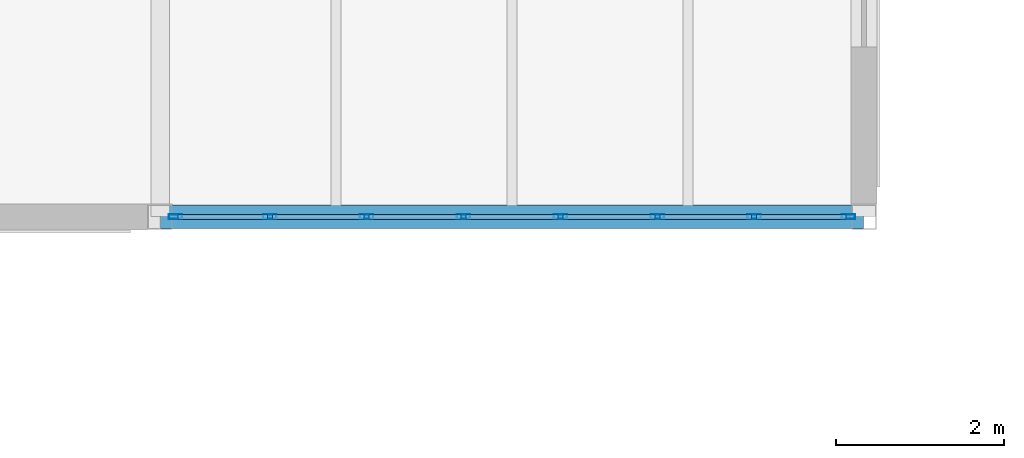
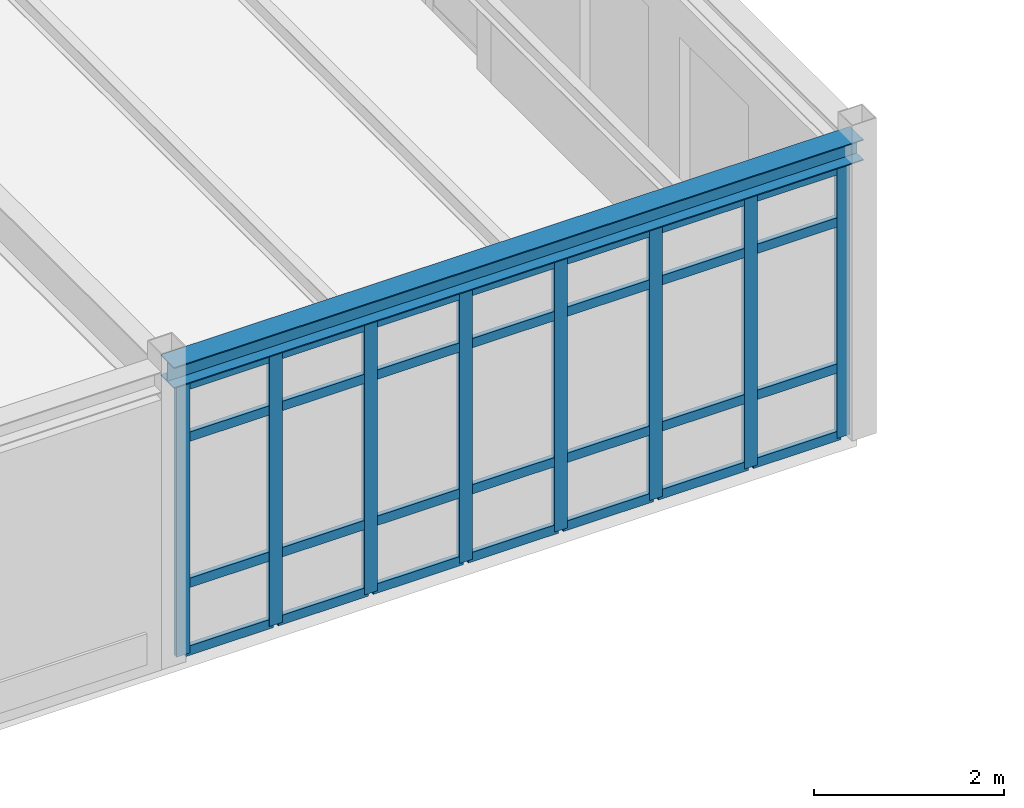
# One storey, part 88 of 165: 36 members, 1 beam, 1 element without a shape of its own.
"""IFC4 building model written with IfcOpenShell, lengths in metres."""

from ifc_helpers import new_model, si_unit, direction, frame, origin, origin_2d, place, context, subcontext, project, spatial, hollow_rectangle, i_section, extrude, material, layer, layer_set, material_profile, profile_set, type_object, element, aggregate, save


model = new_model("IFC4")

# Units and contexts
model_context = context("Model", 3, precision=1e-05, world=origin(), true_north=direction((0.0, 1.0)))
body_context = subcontext(model_context, "Body", "Model", "MODEL_VIEW")
ifc_project = project(units=[si_unit("LENGTHUNIT", "METRE"), si_unit("AREAUNIT", "SQUARE_METRE"), si_unit("VOLUMEUNIT", "CUBIC_METRE"), si_unit("PLANEANGLEUNIT", "RADIAN"), si_unit("MASSUNIT", "GRAM", prefix="KILO")], contexts=[model_context])

# Site, building, storey
site_placement = place(None, origin())
site = spatial("IfcSite", under=ifc_project, at=site_placement, CompositionType="ELEMENT")
building_placement = place(site_placement, origin())
building = spatial("IfcBuilding", under=site, at=building_placement, Name="Montecoro Central Library", CompositionType="ELEMENT")
storey_placement = place(building_placement, frame((0.0, 0.0, 5.10009765625)))
storey = spatial("IfcBuildingStorey", under=building, at=storey_placement, Name="L01", CompositionType="ELEMENT", Elevation=5.10009765625)

# Beam
ifc_material_1 = material(Name="Steel S355", Category="steel")
ifc_material_profile_1 = material_profile(ifc_material_1, i_section(OverallWidth=0.280029296875, OverallDepth=0.27001953125, WebThickness=0.008056640625, FlangeThickness=0.012939453125, at=origin_2d()), Name="HEA 280")
ifc_profile_set_1 = profile_set([ifc_material_profile_1], Name="Steel S355")
beam_type = type_object("IfcBeamType", Name="BM-SP-HEA280", PredefinedType="SPANDREL", material=ifc_profile_set_1)
beam_placement = place(storey_placement, frame((108.405029296875, 81.0, 3.68994140625), z_axis=(1.0, 0.0, 0.0), x_axis=(0.0, 1.0, 0.0)))
element("IfcBeam", 1, at=beam_placement, inside=storey, type_object=beam_type, Name="V2-L01-BX-1415-L", PredefinedType="SPANDREL", context=body_context, shape_type="SweptSolid", body=[
    extrude(i_section(OverallWidth=0.280029296875, OverallDepth=0.27001953125, WebThickness=0.008056640625, FlangeThickness=0.012939453125, at=origin_2d()), origin(), (0.0, 0.0, 1.0), 8.389892578125),
])

# Curtain wall, members
ifc_material_2 = material(Name="Bronze-anodised aluminium and low-E glazing", Category="aluminium")
ifc_layer = layer(ifc_material_2, 0.159912109375)
ifc_layer_set = layer_set([ifc_layer], Name="Bronze-anodised aluminium and low-E glazing")
curtain_wall_type = type_object("IfcCurtainWallType", Name="CWT-010", PredefinedType="NOTDEFINED", material=ifc_layer_set)
curtain_wall_placement = place(storey_placement, origin())
curtain_wall = element("IfcCurtainWall", 2, at=curtain_wall_placement, inside=storey, type_object=curtain_wall_type, Name="V2-L01-CW-S5", PredefinedType="NOTDEFINED")
ifc_material_3 = material(Name="Bronze-anodised aluminium", Category="aluminium")
ifc_material_profile_2 = material_profile(ifc_material_3, hollow_rectangle(XDim=0.06005859375, YDim=0.159912109375, WallThickness=0.00390625, at=origin_2d()), Name="CWM 160x60x4.0")
ifc_profile_set_2 = profile_set([ifc_material_profile_2], Name="Bronze-anodised aluminium")
member_type_1 = type_object("IfcMemberType", Name="CWM-BRZ-60", PredefinedType="MULLION", material=ifc_profile_set_2)
member_1_placement = place(storey_placement, frame((108.5830078125, 81.0, 0.0), z_axis=(0.0, 0.0, 1.0), x_axis=(0.0, 1.0, 0.0)))
member_1 = element("IfcMember", 3, at=member_1_placement, type_object=member_type_1, Name="CW-010 mullion 1", PredefinedType="MULLION", context=body_context, shape_type="SweptSolid", body=[
    extrude(hollow_rectangle(XDim=0.06005859375, YDim=0.159912109375, WallThickness=0.00390625, at=origin_2d()), origin(), (0.0, 0.0, 1.0), 3.47998046875),
])
member_2_placement = place(storey_placement, frame((109.709228515625, 81.0, 0.0), z_axis=(0.0, 0.0, 1.0), x_axis=(0.0, 1.0, 0.0)))
member_2 = element("IfcMember", 4, at=member_2_placement, type_object=member_type_1, Name="CW-010 mullion 2", PredefinedType="MULLION", context=body_context, shape_type="SweptSolid", body=[
    extrude(hollow_rectangle(XDim=0.06005859375, YDim=0.159912109375, WallThickness=0.00390625, at=origin_2d()), origin(), (0.0, 0.0, 1.0), 3.47998046875),
])
member_3_placement = place(storey_placement, frame((110.865478515625, 81.0, 0.0), z_axis=(0.0, 0.0, 1.0), x_axis=(0.0, 1.0, 0.0)))
member_3 = element("IfcMember", 5, at=member_3_placement, type_object=member_type_1, Name="CW-010 mullion 3", PredefinedType="MULLION", context=body_context, shape_type="SweptSolid", body=[
    extrude(hollow_rectangle(XDim=0.06005859375, YDim=0.159912109375, WallThickness=0.00390625, at=origin_2d()), origin(), (0.0, 0.0, 1.0), 3.47998046875),
])
member_4_placement = place(storey_placement, frame((112.02197265625, 81.0, 0.0), z_axis=(0.0, 0.0, 1.0), x_axis=(0.0, 1.0, 0.0)))
member_4 = element("IfcMember", 6, at=member_4_placement, type_object=member_type_1, Name="CW-010 mullion 4", PredefinedType="MULLION", context=body_context, shape_type="SweptSolid", body=[
    extrude(hollow_rectangle(XDim=0.06005859375, YDim=0.159912109375, WallThickness=0.00390625, at=origin_2d()), origin(), (0.0, 0.0, 1.0), 3.47998046875),
])
member_5_placement = place(storey_placement, frame((113.17822265625, 81.0, 0.0), z_axis=(0.0, 0.0, 1.0), x_axis=(0.0, 1.0, 0.0)))
member_5 = element("IfcMember", 7, at=member_5_placement, type_object=member_type_1, Name="CW-010 mullion 5", PredefinedType="MULLION", context=body_context, shape_type="SweptSolid", body=[
    extrude(hollow_rectangle(XDim=0.06005859375, YDim=0.159912109375, WallThickness=0.00390625, at=origin_2d()), origin(), (0.0, 0.0, 1.0), 3.47998046875),
])
member_6_placement = place(storey_placement, frame((114.33447265625, 81.0, 0.0), z_axis=(0.0, 0.0, 1.0), x_axis=(0.0, 1.0, 0.0)))
member_6 = element("IfcMember", 8, at=member_6_placement, type_object=member_type_1, Name="CW-010 mullion 6", PredefinedType="MULLION", context=body_context, shape_type="SweptSolid", body=[
    extrude(hollow_rectangle(XDim=0.06005859375, YDim=0.159912109375, WallThickness=0.00390625, at=origin_2d()), origin(), (0.0, 0.0, 1.0), 3.47998046875),
])
member_7_placement = place(storey_placement, frame((115.49072265625, 81.0, 0.0), z_axis=(0.0, 0.0, 1.0), x_axis=(0.0, 1.0, 0.0)))
member_7 = element("IfcMember", 9, at=member_7_placement, type_object=member_type_1, Name="CW-010 mullion 7", PredefinedType="MULLION", context=body_context, shape_type="SweptSolid", body=[
    extrude(hollow_rectangle(XDim=0.06005859375, YDim=0.159912109375, WallThickness=0.00390625, at=origin_2d()), origin(), (0.0, 0.0, 1.0), 3.47998046875),
])
member_8_placement = place(storey_placement, frame((116.616943359375, 81.0, 0.0), z_axis=(0.0, 0.0, 1.0), x_axis=(0.0, 1.0, 0.0)))
member_8 = element("IfcMember", 10, at=member_8_placement, type_object=member_type_1, Name="CW-010 mullion 8", PredefinedType="MULLION", context=body_context, shape_type="SweptSolid", body=[
    extrude(hollow_rectangle(XDim=0.06005859375, YDim=0.159912109375, WallThickness=0.00390625, at=origin_2d()), origin(), (0.0, 0.0, 1.0), 3.47998046875),
])
ifc_material_profile_3 = material_profile(ifc_material_3, hollow_rectangle(XDim=0.06005859375, YDim=0.1201171875, WallThickness=0.00390625, at=origin_2d()), Name="CWT 120x60x4.0")
ifc_profile_set_3 = profile_set([ifc_material_profile_3], Name="Bronze-anodised aluminium")
member_type_2 = type_object("IfcMemberType", Name="CWT-BRZ-60", PredefinedType="USERDEFINED", material=ifc_profile_set_3)
member_9_placement = place(storey_placement, frame((108.613037109375, 81.0, 0.02978515625), z_axis=(1.0, 0.0, 0.0), x_axis=(0.0, 1.0, 0.0)))
member_9 = element("IfcMember", 11, at=member_9_placement, type_object=member_type_2, Name="CW-010 transom 1.1", ObjectType="TRANSOM", PredefinedType="USERDEFINED", context=body_context, shape_type="SweptSolid", body=[
    extrude(hollow_rectangle(XDim=0.06005859375, YDim=0.1201171875, WallThickness=0.00390625, at=origin_2d()), origin(), (0.0, 0.0, 1.0), 1.066162109375),
])
member_10_placement = place(storey_placement, frame((108.613037109375, 81.0, 0.89990234375), z_axis=(1.0, 0.0, 0.0), x_axis=(0.0, 1.0, 0.0)))
member_10 = element("IfcMember", 12, at=member_10_placement, type_object=member_type_2, Name="CW-010 transom 1.2", ObjectType="TRANSOM", PredefinedType="USERDEFINED", context=body_context, shape_type="SweptSolid", body=[
    extrude(hollow_rectangle(XDim=0.06005859375, YDim=0.1201171875, WallThickness=0.00390625, at=origin_2d()), origin(), (0.0, 0.0, 1.0), 1.066162109375),
])
member_11_placement = place(storey_placement, frame((108.613037109375, 81.0, 2.77978515625), z_axis=(1.0, 0.0, 0.0), x_axis=(0.0, 1.0, 0.0)))
member_11 = element("IfcMember", 13, at=member_11_placement, type_object=member_type_2, Name="CW-010 transom 1.3", ObjectType="TRANSOM", PredefinedType="USERDEFINED", context=body_context, shape_type="SweptSolid", body=[
    extrude(hollow_rectangle(XDim=0.06005859375, YDim=0.1201171875, WallThickness=0.00390625, at=origin_2d()), origin(), (0.0, 0.0, 1.0), 1.066162109375),
])
member_12_placement = place(storey_placement, frame((108.613037109375, 81.0, 3.449951171875), z_axis=(1.0, 0.0, 0.0), x_axis=(0.0, 1.0, 0.0)))
member_12 = element("IfcMember", 14, at=member_12_placement, type_object=member_type_2, Name="CW-010 transom 1.4", ObjectType="TRANSOM", PredefinedType="USERDEFINED", context=body_context, shape_type="SweptSolid", body=[
    extrude(hollow_rectangle(XDim=0.06005859375, YDim=0.1201171875, WallThickness=0.00390625, at=origin_2d()), origin(), (0.0, 0.0, 1.0), 1.066162109375),
])
member_13_placement = place(storey_placement, frame((109.7392578125, 81.0, 0.02978515625), z_axis=(1.0, 0.0, 0.0), x_axis=(0.0, 1.0, 0.0)))
member_13 = element("IfcMember", 15, at=member_13_placement, type_object=member_type_2, Name="CW-010 transom 2.1", ObjectType="TRANSOM", PredefinedType="USERDEFINED", context=body_context, shape_type="SweptSolid", body=[
    extrude(hollow_rectangle(XDim=0.06005859375, YDim=0.1201171875, WallThickness=0.00390625, at=origin_2d()), origin(), (0.0, 0.0, 1.0), 1.096435546875),
])
member_14_placement = place(storey_placement, frame((109.7392578125, 81.0, 0.89990234375), z_axis=(1.0, 0.0, 0.0), x_axis=(0.0, 1.0, 0.0)))
member_14 = element("IfcMember", 16, at=member_14_placement, type_object=member_type_2, Name="CW-010 transom 2.2", ObjectType="TRANSOM", PredefinedType="USERDEFINED", context=body_context, shape_type="SweptSolid", body=[
    extrude(hollow_rectangle(XDim=0.06005859375, YDim=0.1201171875, WallThickness=0.00390625, at=origin_2d()), origin(), (0.0, 0.0, 1.0), 1.096435546875),
])
member_15_placement = place(storey_placement, frame((109.7392578125, 81.0, 2.77978515625), z_axis=(1.0, 0.0, 0.0), x_axis=(0.0, 1.0, 0.0)))
member_15 = element("IfcMember", 17, at=member_15_placement, type_object=member_type_2, Name="CW-010 transom 2.3", ObjectType="TRANSOM", PredefinedType="USERDEFINED", context=body_context, shape_type="SweptSolid", body=[
    extrude(hollow_rectangle(XDim=0.06005859375, YDim=0.1201171875, WallThickness=0.00390625, at=origin_2d()), origin(), (0.0, 0.0, 1.0), 1.096435546875),
])
member_16_placement = place(storey_placement, frame((109.7392578125, 81.0, 3.449951171875), z_axis=(1.0, 0.0, 0.0), x_axis=(0.0, 1.0, 0.0)))
member_16 = element("IfcMember", 18, at=member_16_placement, type_object=member_type_2, Name="CW-010 transom 2.4", ObjectType="TRANSOM", PredefinedType="USERDEFINED", context=body_context, shape_type="SweptSolid", body=[
    extrude(hollow_rectangle(XDim=0.06005859375, YDim=0.1201171875, WallThickness=0.00390625, at=origin_2d()), origin(), (0.0, 0.0, 1.0), 1.096435546875),
])
member_17_placement = place(storey_placement, frame((110.8955078125, 81.0, 0.02978515625), z_axis=(1.0, 0.0, 0.0), x_axis=(0.0, 1.0, 0.0)))
member_17 = element("IfcMember", 19, at=member_17_placement, type_object=member_type_2, Name="CW-010 transom 3.1", ObjectType="TRANSOM", PredefinedType="USERDEFINED", context=body_context, shape_type="SweptSolid", body=[
    extrude(hollow_rectangle(XDim=0.06005859375, YDim=0.1201171875, WallThickness=0.00390625, at=origin_2d()), origin(), (0.0, 0.0, 1.0), 1.096435546875),
])
member_18_placement = place(storey_placement, frame((110.8955078125, 81.0, 0.89990234375), z_axis=(1.0, 0.0, 0.0), x_axis=(0.0, 1.0, 0.0)))
member_18 = element("IfcMember", 20, at=member_18_placement, type_object=member_type_2, Name="CW-010 transom 3.2", ObjectType="TRANSOM", PredefinedType="USERDEFINED", context=body_context, shape_type="SweptSolid", body=[
    extrude(hollow_rectangle(XDim=0.06005859375, YDim=0.1201171875, WallThickness=0.00390625, at=origin_2d()), origin(), (0.0, 0.0, 1.0), 1.096435546875),
])
member_19_placement = place(storey_placement, frame((110.8955078125, 81.0, 2.77978515625), z_axis=(1.0, 0.0, 0.0), x_axis=(0.0, 1.0, 0.0)))
member_19 = element("IfcMember", 21, at=member_19_placement, type_object=member_type_2, Name="CW-010 transom 3.3", ObjectType="TRANSOM", PredefinedType="USERDEFINED", context=body_context, shape_type="SweptSolid", body=[
    extrude(hollow_rectangle(XDim=0.06005859375, YDim=0.1201171875, WallThickness=0.00390625, at=origin_2d()), origin(), (0.0, 0.0, 1.0), 1.096435546875),
])
member_20_placement = place(storey_placement, frame((110.8955078125, 81.0, 3.449951171875), z_axis=(1.0, 0.0, 0.0), x_axis=(0.0, 1.0, 0.0)))
member_20 = element("IfcMember", 22, at=member_20_placement, type_object=member_type_2, Name="CW-010 transom 3.4", ObjectType="TRANSOM", PredefinedType="USERDEFINED", context=body_context, shape_type="SweptSolid", body=[
    extrude(hollow_rectangle(XDim=0.06005859375, YDim=0.1201171875, WallThickness=0.00390625, at=origin_2d()), origin(), (0.0, 0.0, 1.0), 1.096435546875),
])
member_21_placement = place(storey_placement, frame((112.0517578125, 81.0, 0.02978515625), z_axis=(1.0, 0.0, 0.0), x_axis=(0.0, 1.0, 0.0)))
member_21 = element("IfcMember", 23, at=member_21_placement, type_object=member_type_2, Name="CW-010 transom 4.1", ObjectType="TRANSOM", PredefinedType="USERDEFINED", context=body_context, shape_type="SweptSolid", body=[
    extrude(hollow_rectangle(XDim=0.06005859375, YDim=0.1201171875, WallThickness=0.00390625, at=origin_2d()), origin(), (0.0, 0.0, 1.0), 1.096435546875),
])
member_22_placement = place(storey_placement, frame((112.0517578125, 81.0, 0.89990234375), z_axis=(1.0, 0.0, 0.0), x_axis=(0.0, 1.0, 0.0)))
member_22 = element("IfcMember", 24, at=member_22_placement, type_object=member_type_2, Name="CW-010 transom 4.2", ObjectType="TRANSOM", PredefinedType="USERDEFINED", context=body_context, shape_type="SweptSolid", body=[
    extrude(hollow_rectangle(XDim=0.06005859375, YDim=0.1201171875, WallThickness=0.00390625, at=origin_2d()), origin(), (0.0, 0.0, 1.0), 1.096435546875),
])
member_23_placement = place(storey_placement, frame((112.0517578125, 81.0, 2.77978515625), z_axis=(1.0, 0.0, 0.0), x_axis=(0.0, 1.0, 0.0)))
member_23 = element("IfcMember", 25, at=member_23_placement, type_object=member_type_2, Name="CW-010 transom 4.3", ObjectType="TRANSOM", PredefinedType="USERDEFINED", context=body_context, shape_type="SweptSolid", body=[
    extrude(hollow_rectangle(XDim=0.06005859375, YDim=0.1201171875, WallThickness=0.00390625, at=origin_2d()), origin(), (0.0, 0.0, 1.0), 1.096435546875),
])
member_24_placement = place(storey_placement, frame((112.0517578125, 81.0, 3.449951171875), z_axis=(1.0, 0.0, 0.0), x_axis=(0.0, 1.0, 0.0)))
member_24 = element("IfcMember", 26, at=member_24_placement, type_object=member_type_2, Name="CW-010 transom 4.4", ObjectType="TRANSOM", PredefinedType="USERDEFINED", context=body_context, shape_type="SweptSolid", body=[
    extrude(hollow_rectangle(XDim=0.06005859375, YDim=0.1201171875, WallThickness=0.00390625, at=origin_2d()), origin(), (0.0, 0.0, 1.0), 1.096435546875),
])
member_25_placement = place(storey_placement, frame((113.208251953125, 81.0, 0.02978515625), z_axis=(1.0, 0.0, 0.0), x_axis=(0.0, 1.0, 0.0)))
member_25 = element("IfcMember", 27, at=member_25_placement, type_object=member_type_2, Name="CW-010 transom 5.1", ObjectType="TRANSOM", PredefinedType="USERDEFINED", context=body_context, shape_type="SweptSolid", body=[
    extrude(hollow_rectangle(XDim=0.06005859375, YDim=0.1201171875, WallThickness=0.00390625, at=origin_2d()), origin(), (0.0, 0.0, 1.0), 1.09619140625),
])
member_26_placement = place(storey_placement, frame((113.208251953125, 81.0, 0.89990234375), z_axis=(1.0, 0.0, 0.0), x_axis=(0.0, 1.0, 0.0)))
member_26 = element("IfcMember", 28, at=member_26_placement, type_object=member_type_2, Name="CW-010 transom 5.2", ObjectType="TRANSOM", PredefinedType="USERDEFINED", context=body_context, shape_type="SweptSolid", body=[
    extrude(hollow_rectangle(XDim=0.06005859375, YDim=0.1201171875, WallThickness=0.00390625, at=origin_2d()), origin(), (0.0, 0.0, 1.0), 1.09619140625),
])
member_27_placement = place(storey_placement, frame((113.208251953125, 81.0, 2.77978515625), z_axis=(1.0, 0.0, 0.0), x_axis=(0.0, 1.0, 0.0)))
member_27 = element("IfcMember", 29, at=member_27_placement, type_object=member_type_2, Name="CW-010 transom 5.3", ObjectType="TRANSOM", PredefinedType="USERDEFINED", context=body_context, shape_type="SweptSolid", body=[
    extrude(hollow_rectangle(XDim=0.06005859375, YDim=0.1201171875, WallThickness=0.00390625, at=origin_2d()), origin(), (0.0, 0.0, 1.0), 1.09619140625),
])
member_28_placement = place(storey_placement, frame((113.208251953125, 81.0, 3.449951171875), z_axis=(1.0, 0.0, 0.0), x_axis=(0.0, 1.0, 0.0)))
member_28 = element("IfcMember", 30, at=member_28_placement, type_object=member_type_2, Name="CW-010 transom 5.4", ObjectType="TRANSOM", PredefinedType="USERDEFINED", context=body_context, shape_type="SweptSolid", body=[
    extrude(hollow_rectangle(XDim=0.06005859375, YDim=0.1201171875, WallThickness=0.00390625, at=origin_2d()), origin(), (0.0, 0.0, 1.0), 1.09619140625),
])
member_29_placement = place(storey_placement, frame((114.364501953125, 81.0, 0.02978515625), z_axis=(1.0, 0.0, 0.0), x_axis=(0.0, 1.0, 0.0)))
member_29 = element("IfcMember", 31, at=member_29_placement, type_object=member_type_2, Name="CW-010 transom 6.1", ObjectType="TRANSOM", PredefinedType="USERDEFINED", context=body_context, shape_type="SweptSolid", body=[
    extrude(hollow_rectangle(XDim=0.06005859375, YDim=0.1201171875, WallThickness=0.00390625, at=origin_2d()), origin(), (0.0, 0.0, 1.0), 1.09619140625),
])
member_30_placement = place(storey_placement, frame((114.364501953125, 81.0, 0.89990234375), z_axis=(1.0, 0.0, 0.0), x_axis=(0.0, 1.0, 0.0)))
member_30 = element("IfcMember", 32, at=member_30_placement, type_object=member_type_2, Name="CW-010 transom 6.2", ObjectType="TRANSOM", PredefinedType="USERDEFINED", context=body_context, shape_type="SweptSolid", body=[
    extrude(hollow_rectangle(XDim=0.06005859375, YDim=0.1201171875, WallThickness=0.00390625, at=origin_2d()), origin(), (0.0, 0.0, 1.0), 1.09619140625),
])
member_31_placement = place(storey_placement, frame((114.364501953125, 81.0, 2.77978515625), z_axis=(1.0, 0.0, 0.0), x_axis=(0.0, 1.0, 0.0)))
member_31 = element("IfcMember", 33, at=member_31_placement, type_object=member_type_2, Name="CW-010 transom 6.3", ObjectType="TRANSOM", PredefinedType="USERDEFINED", context=body_context, shape_type="SweptSolid", body=[
    extrude(hollow_rectangle(XDim=0.06005859375, YDim=0.1201171875, WallThickness=0.00390625, at=origin_2d()), origin(), (0.0, 0.0, 1.0), 1.09619140625),
])
member_32_placement = place(storey_placement, frame((114.364501953125, 81.0, 3.449951171875), z_axis=(1.0, 0.0, 0.0), x_axis=(0.0, 1.0, 0.0)))
member_32 = element("IfcMember", 34, at=member_32_placement, type_object=member_type_2, Name="CW-010 transom 6.4", ObjectType="TRANSOM", PredefinedType="USERDEFINED", context=body_context, shape_type="SweptSolid", body=[
    extrude(hollow_rectangle(XDim=0.06005859375, YDim=0.1201171875, WallThickness=0.00390625, at=origin_2d()), origin(), (0.0, 0.0, 1.0), 1.09619140625),
])
member_33_placement = place(storey_placement, frame((115.520751953125, 81.0, 0.02978515625), z_axis=(1.0, 0.0, 0.0), x_axis=(0.0, 1.0, 0.0)))
member_33 = element("IfcMember", 35, at=member_33_placement, type_object=member_type_2, Name="CW-010 transom 7.1", ObjectType="TRANSOM", PredefinedType="USERDEFINED", context=body_context, shape_type="SweptSolid", body=[
    extrude(hollow_rectangle(XDim=0.06005859375, YDim=0.1201171875, WallThickness=0.00390625, at=origin_2d()), origin(), (0.0, 0.0, 1.0), 1.066162109375),
])
member_34_placement = place(storey_placement, frame((115.520751953125, 81.0, 0.89990234375), z_axis=(1.0, 0.0, 0.0), x_axis=(0.0, 1.0, 0.0)))
member_34 = element("IfcMember", 36, at=member_34_placement, type_object=member_type_2, Name="CW-010 transom 7.2", ObjectType="TRANSOM", PredefinedType="USERDEFINED", context=body_context, shape_type="SweptSolid", body=[
    extrude(hollow_rectangle(XDim=0.06005859375, YDim=0.1201171875, WallThickness=0.00390625, at=origin_2d()), origin(), (0.0, 0.0, 1.0), 1.066162109375),
])
member_35_placement = place(storey_placement, frame((115.520751953125, 81.0, 2.77978515625), z_axis=(1.0, 0.0, 0.0), x_axis=(0.0, 1.0, 0.0)))
member_35 = element("IfcMember", 37, at=member_35_placement, type_object=member_type_2, Name="CW-010 transom 7.3", ObjectType="TRANSOM", PredefinedType="USERDEFINED", context=body_context, shape_type="SweptSolid", body=[
    extrude(hollow_rectangle(XDim=0.06005859375, YDim=0.1201171875, WallThickness=0.00390625, at=origin_2d()), origin(), (0.0, 0.0, 1.0), 1.066162109375),
])
member_36_placement = place(storey_placement, frame((115.520751953125, 81.0, 3.449951171875), z_axis=(1.0, 0.0, 0.0), x_axis=(0.0, 1.0, 0.0)))
member_36 = element("IfcMember", 38, at=member_36_placement, type_object=member_type_2, Name="CW-010 transom 7.4", ObjectType="TRANSOM", PredefinedType="USERDEFINED", context=body_context, shape_type="SweptSolid", body=[
    extrude(hollow_rectangle(XDim=0.06005859375, YDim=0.1201171875, WallThickness=0.00390625, at=origin_2d()), origin(), (0.0, 0.0, 1.0), 1.066162109375),
])
aggregate(curtain_wall, [member_1, member_2, member_3, member_4, member_5, member_6, member_7, member_8, member_9, member_10, member_11, member_12, member_13, member_14, member_15, member_16, member_17, member_18, member_19, member_20, member_21, member_22, member_23, member_24, member_25, member_26, member_27, member_28, member_29, member_30, member_31, member_32, member_33, member_34, member_35, member_36])

save(model, "model.ifc")
